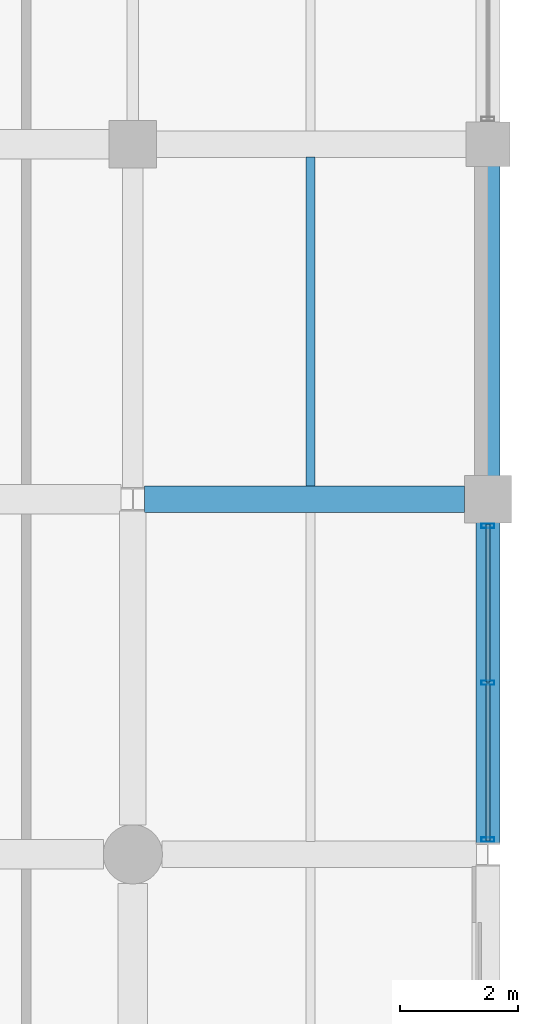
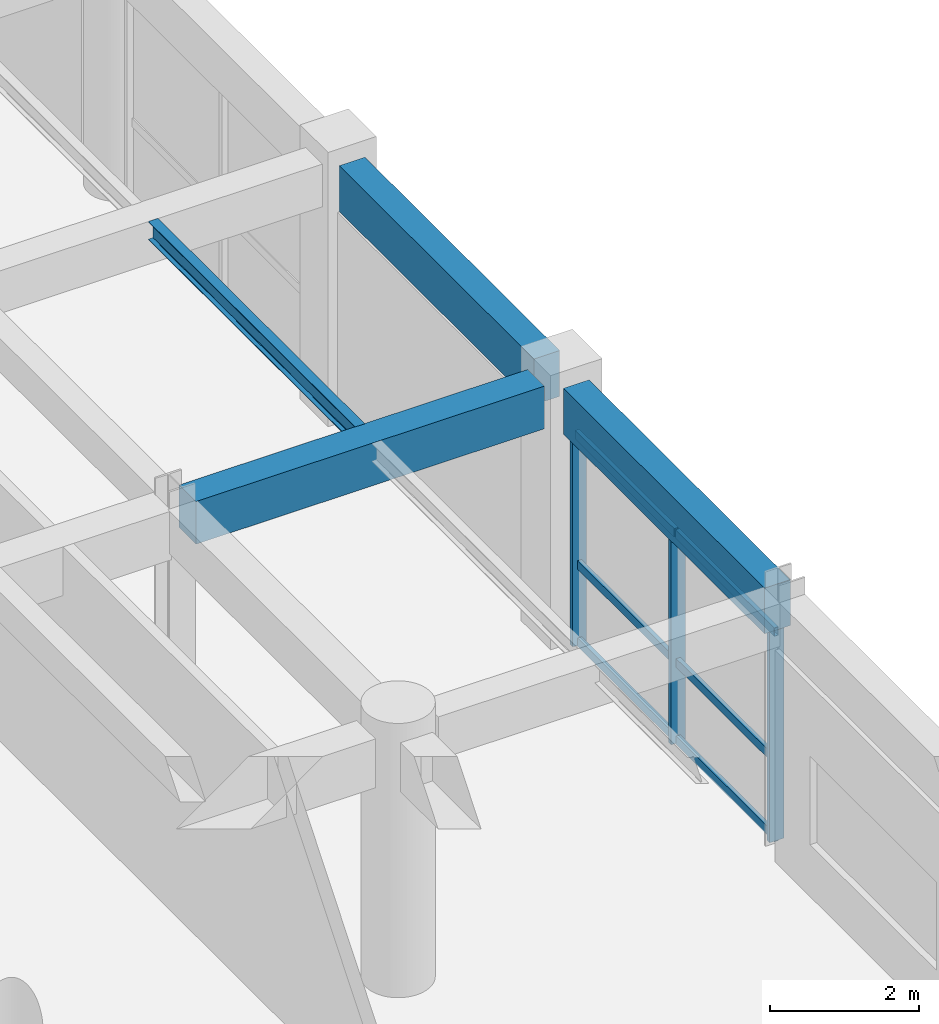
# One storey, part 76 of 133: 9 members, 4 beams, 1 element without a shape of its own.
"""IFC4 building model written with IfcOpenShell, lengths in metres."""

from ifc_helpers import new_model, si_unit, direction, frame, origin, origin_2d, place, context, subcontext, project, spatial, rectangle, hollow_rectangle, i_section, extrude, material, material_profile, profile_set, type_object, element, aggregate, save


model = new_model("IFC4")

# Units and contexts
model_context = context("Model", 3, precision=1e-05, world=origin(), true_north=direction((0.0, 1.0)))
body_context = subcontext(model_context, "Body", "Model", "MODEL_VIEW")
ifc_project = project(units=[si_unit("LENGTHUNIT", "METRE"), si_unit("AREAUNIT", "SQUARE_METRE"), si_unit("VOLUMEUNIT", "CUBIC_METRE"), si_unit("PLANEANGLEUNIT", "RADIAN"), si_unit("MASSUNIT", "GRAM", prefix="KILO"), si_unit("THERMODYNAMICTEMPERATUREUNIT", "KELVIN"), si_unit("POWERUNIT", "WATT")], contexts=[model_context])

# Site, building, storey
site_placement = place(None, origin())
site = spatial("IfcSite", under=ifc_project, at=site_placement, CompositionType="ELEMENT")
building_placement = place(site_placement, origin())
building = spatial("IfcBuilding", under=site, at=building_placement, Name="Phaisarnlok Congress Hotel", CompositionType="ELEMENT")
storey_placement = place(building_placement, frame((0.0, 0.0, 6.0)))
storey = spatial("IfcBuildingStorey", under=building, at=storey_placement, Name="L01", CompositionType="ELEMENT", Elevation=6.0)

# Beam
ifc_material_1 = material(Name="Concrete C40/50", Category="concrete")
ifc_material_profile_1 = material_profile(ifc_material_1, rectangle(XDim=0.449951171875, YDim=0.699951171875, at=origin_2d()), Name="RC 450x700")
ifc_profile_set_1 = profile_set([ifc_material_profile_1], Name="Concrete C40/50")
beam_type_1 = type_object("IfcBeamType", Name="BM-RC-450x700", PredefinedType="BEAM", material=ifc_profile_set_1)
beam_1_placement = place(storey_placement, frame((174.195556640625, 90.0, 3.8701171875), z_axis=(1.0, 0.0, 0.0), x_axis=(0.0, 1.0, 0.0)))
element("IfcBeam", 1, at=beam_1_placement, inside=storey, type_object=beam_type_1, Name="Beam B-03", PredefinedType="BEAM", context=body_context, shape_type="SweptSolid", body=[
    extrude(rectangle(XDim=0.449951171875, YDim=0.699951171875, at=origin_2d()), origin(), (0.0, 0.0, 1.0), 5.409423828125),
])

# Curtain wall, members
ifc_material_2 = material(Name="Thermally Broken Unitised Aluminium & Low-E Glazing", Category="aluminium")
curtain_wall_type = type_object("IfcCurtainWallType", Name="CW-UNIT-14", PredefinedType="NOTDEFINED", material=ifc_material_2)
curtain_wall_placement = place(storey_placement, origin())
curtain_wall = element("IfcCurtainWall", 2, at=curtain_wall_placement, inside=storey, type_object=curtain_wall_type, Name="Unitised curtain wall CW-14 (L01)", PredefinedType="NOTDEFINED")
ifc_material_3 = material(Name="Anodised Aluminium Alloy 6063-T6", Category="aluminium")
ifc_material_profile_2 = material_profile(ifc_material_3, hollow_rectangle(XDim=0.074951171875, YDim=0.219970703125, WallThickness=0.0048828125, at=origin_2d()), Name="ALU-M 75x220x5")
ifc_profile_set_2 = profile_set([ifc_material_profile_2], Name="Anodised Aluminium Alloy 6063-T6")
member_type_1 = type_object("IfcMemberType", Name="CWM-220", PredefinedType="MULLION", material=ifc_profile_set_2)
member_1_placement = place(storey_placement, frame((180.0, 84.24951171875, 0.0), z_axis=(0.0, 0.0, 1.0), x_axis=(0.0, 1.0, 0.0)))
member_1 = element("IfcMember", 3, at=member_1_placement, type_object=member_type_1, Name="Curtain wall mullion CWM-02", PredefinedType="MULLION", context=body_context, shape_type="SweptSolid", body=[
    extrude(hollow_rectangle(XDim=0.074951171875, YDim=0.219970703125, WallThickness=0.0048828125, at=origin_2d()), origin(), (0.0, 0.0, 1.0), 3.469970703125),
])
member_2_placement = place(storey_placement, frame((180.0, 86.899658203125, 0.0), z_axis=(0.0, 0.0, 1.0), x_axis=(0.0, 1.0, 0.0)))
member_2 = element("IfcMember", 4, at=member_2_placement, type_object=member_type_1, Name="Curtain wall mullion CWM-02", PredefinedType="MULLION", context=body_context, shape_type="SweptSolid", body=[
    extrude(hollow_rectangle(XDim=0.074951171875, YDim=0.219970703125, WallThickness=0.0048828125, at=origin_2d()), origin(), (0.0, 0.0, 1.0), 3.469970703125),
])
member_3_placement = place(storey_placement, frame((180.0, 89.550048828125, 0.0), z_axis=(0.0, 0.0, 1.0), x_axis=(0.0, 1.0, 0.0)))
member_3 = element("IfcMember", 5, at=member_3_placement, type_object=member_type_1, Name="Curtain wall mullion CWM-02", PredefinedType="MULLION", context=body_context, shape_type="SweptSolid", body=[
    extrude(hollow_rectangle(XDim=0.074951171875, YDim=0.219970703125, WallThickness=0.0048828125, at=origin_2d()), origin(), (0.0, 0.0, 1.0), 3.469970703125),
])
ifc_material_profile_3 = material_profile(ifc_material_3, hollow_rectangle(XDim=0.06494140625, YDim=0.139892578125, WallThickness=0.00390625, at=origin_2d()), Name="ALU-T 65x140x4")
ifc_profile_set_3 = profile_set([ifc_material_profile_3], Name="Anodised Aluminium Alloy 6063-T6")
member_type_2 = type_object("IfcMemberType", Name="CWT-150", PredefinedType="USERDEFINED", material=ifc_profile_set_3)
member_4_placement = place(storey_placement, frame((180.0, 84.224609375, 0.050048828125), z_axis=(0.0, 1.0, 0.0), x_axis=(-1.0, 0.0, 0.0)))
member_4 = element("IfcMember", 6, at=member_4_placement, type_object=member_type_2, Name="Curtain wall transom CWT-01", ObjectType="TRANSOM", PredefinedType="USERDEFINED", context=body_context, shape_type="SweptSolid", body=[
    extrude(hollow_rectangle(XDim=0.06494140625, YDim=0.139892578125, WallThickness=0.00390625, at=origin_2d()), origin(), (0.0, 0.0, 1.0), 2.66015625),
])
member_5_placement = place(storey_placement, frame((180.0, 84.224609375, 1.318603515625), z_axis=(0.0, 1.0, 0.0), x_axis=(-1.0, 0.0, 0.0)))
member_5 = element("IfcMember", 7, at=member_5_placement, type_object=member_type_2, Name="Curtain wall transom CWT-01", ObjectType="TRANSOM", PredefinedType="USERDEFINED", context=body_context, shape_type="SweptSolid", body=[
    extrude(hollow_rectangle(XDim=0.06494140625, YDim=0.139892578125, WallThickness=0.00390625, at=origin_2d()), origin(), (0.0, 0.0, 1.0), 2.66015625),
])
member_6_placement = place(storey_placement, frame((180.0, 84.224609375, 3.419921875), z_axis=(0.0, 1.0, 0.0), x_axis=(-1.0, 0.0, 0.0)))
member_6 = element("IfcMember", 8, at=member_6_placement, type_object=member_type_2, Name="Curtain wall transom CWT-01", ObjectType="TRANSOM", PredefinedType="USERDEFINED", context=body_context, shape_type="SweptSolid", body=[
    extrude(hollow_rectangle(XDim=0.06494140625, YDim=0.139892578125, WallThickness=0.00390625, at=origin_2d()), origin(), (0.0, 0.0, 1.0), 2.66015625),
])
member_7_placement = place(storey_placement, frame((180.0, 86.914794921875, 0.050048828125), z_axis=(0.0, 1.0, 0.0), x_axis=(-1.0, 0.0, 0.0)))
member_7 = element("IfcMember", 9, at=member_7_placement, type_object=member_type_2, Name="Curtain wall transom CWT-01", ObjectType="TRANSOM", PredefinedType="USERDEFINED", context=body_context, shape_type="SweptSolid", body=[
    extrude(hollow_rectangle(XDim=0.06494140625, YDim=0.139892578125, WallThickness=0.00390625, at=origin_2d()), origin(), (0.0, 0.0, 1.0), 2.66015625),
])
member_8_placement = place(storey_placement, frame((180.0, 86.914794921875, 1.318603515625), z_axis=(0.0, 1.0, 0.0), x_axis=(-1.0, 0.0, 0.0)))
member_8 = element("IfcMember", 10, at=member_8_placement, type_object=member_type_2, Name="Curtain wall transom CWT-01", ObjectType="TRANSOM", PredefinedType="USERDEFINED", context=body_context, shape_type="SweptSolid", body=[
    extrude(hollow_rectangle(XDim=0.06494140625, YDim=0.139892578125, WallThickness=0.00390625, at=origin_2d()), origin(), (0.0, 0.0, 1.0), 2.66015625),
])
member_9_placement = place(storey_placement, frame((180.0, 86.914794921875, 3.419921875), z_axis=(0.0, 1.0, 0.0), x_axis=(-1.0, 0.0, 0.0)))
member_9 = element("IfcMember", 11, at=member_9_placement, type_object=member_type_2, Name="Curtain wall transom CWT-01", ObjectType="TRANSOM", PredefinedType="USERDEFINED", context=body_context, shape_type="SweptSolid", body=[
    extrude(hollow_rectangle(XDim=0.06494140625, YDim=0.139892578125, WallThickness=0.00390625, at=origin_2d()), origin(), (0.0, 0.0, 1.0), 2.66015625),
])
aggregate(curtain_wall, [member_1, member_2, member_3, member_4, member_5, member_6, member_7, member_8, member_9])

# Beams
ifc_material_4 = material(Name="Steel S355", Category="steel")
ifc_material_profile_4 = material_profile(ifc_material_4, i_section(OverallWidth=0.14990234375, OverallDepth=0.300048828125, WebThickness=0.007080078125, FlangeThickness=0.0107421875, FilletRadius=0.014892578125, at=origin_2d()), Name="IPE 300")
ifc_profile_set_4 = profile_set([ifc_material_profile_4], Name="Steel S355")
beam_type_2 = type_object("IfcBeamType", Name="JS-STL-IPE300", PredefinedType="JOIST", material=ifc_profile_set_4)
beam_2_placement = place(storey_placement, frame((177.0, 90.219970703125, 4.070068359375), z_axis=(0.0, 1.0, 0.0), x_axis=(-1.0, 0.0, 0.0)))
element("IfcBeam", 12, at=beam_2_placement, inside=storey, type_object=beam_type_2, Name="Secondary floor joist J-03", PredefinedType="JOIST", context=body_context, shape_type="SweptSolid", body=[
    extrude(i_section(OverallWidth=0.14990234375, OverallDepth=0.300048828125, WebThickness=0.007080078125, FlangeThickness=0.0107421875, FilletRadius=0.014892578125, at=origin_2d()), origin(), (0.0, 0.0, 1.0), 5.56005859375),
])
ifc_material_profile_5 = material_profile(ifc_material_1, rectangle(XDim=0.39990234375, YDim=0.75, at=origin_2d()), Name="RC 400x750")
ifc_profile_set_5 = profile_set([ifc_material_profile_5], Name="Concrete C40/50")
beam_type_3 = type_object("IfcBeamType", Name="SP-RC-400x750", PredefinedType="SPANDREL", material=ifc_profile_set_5)
beam_3_placement = place(storey_placement, frame((180.0, 84.194580078125, 3.844970703125), z_axis=(0.0, 1.0, 0.0), x_axis=(-1.0, 0.0, 0.0)))
element("IfcBeam", 13, at=beam_3_placement, inside=storey, type_object=beam_type_3, Name="Beam SP-02", PredefinedType="SPANDREL", context=body_context, shape_type="SweptSolid", body=[
    extrude(rectangle(XDim=0.39990234375, YDim=0.75, at=origin_2d()), origin(), (0.0, 0.0, 1.0), 5.410400390625),
])
beam_4_placement = place(storey_placement, frame((180.0, 90.39501953125, 3.844970703125), z_axis=(0.0, 1.0, 0.0), x_axis=(-1.0, 0.0, 0.0)))
element("IfcBeam", 14, at=beam_4_placement, inside=storey, type_object=beam_type_3, Name="Beam SP-02", PredefinedType="SPANDREL", context=body_context, shape_type="SweptSolid", body=[
    extrude(rectangle(XDim=0.39990234375, YDim=0.75, at=origin_2d()), origin(), (0.0, 0.0, 1.0), 5.23486328125),
])

save(model, "model.ifc")
